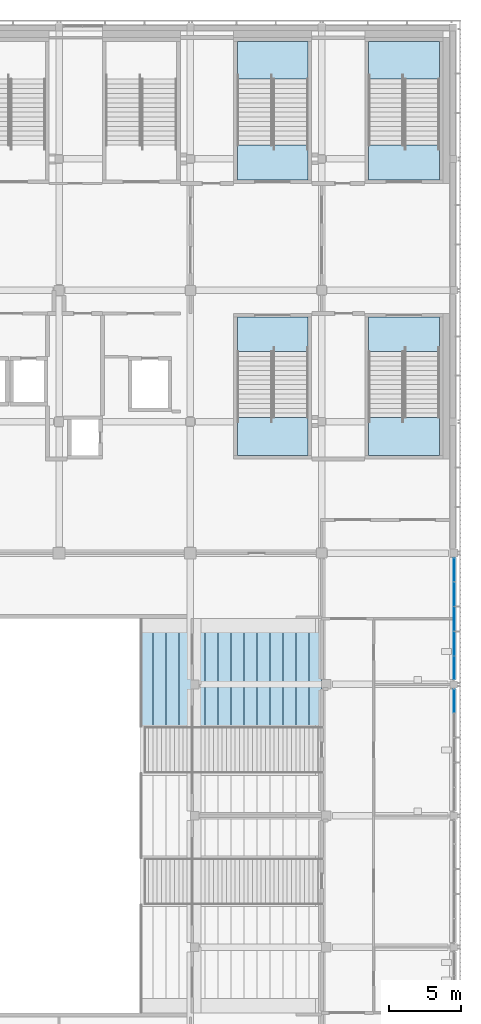
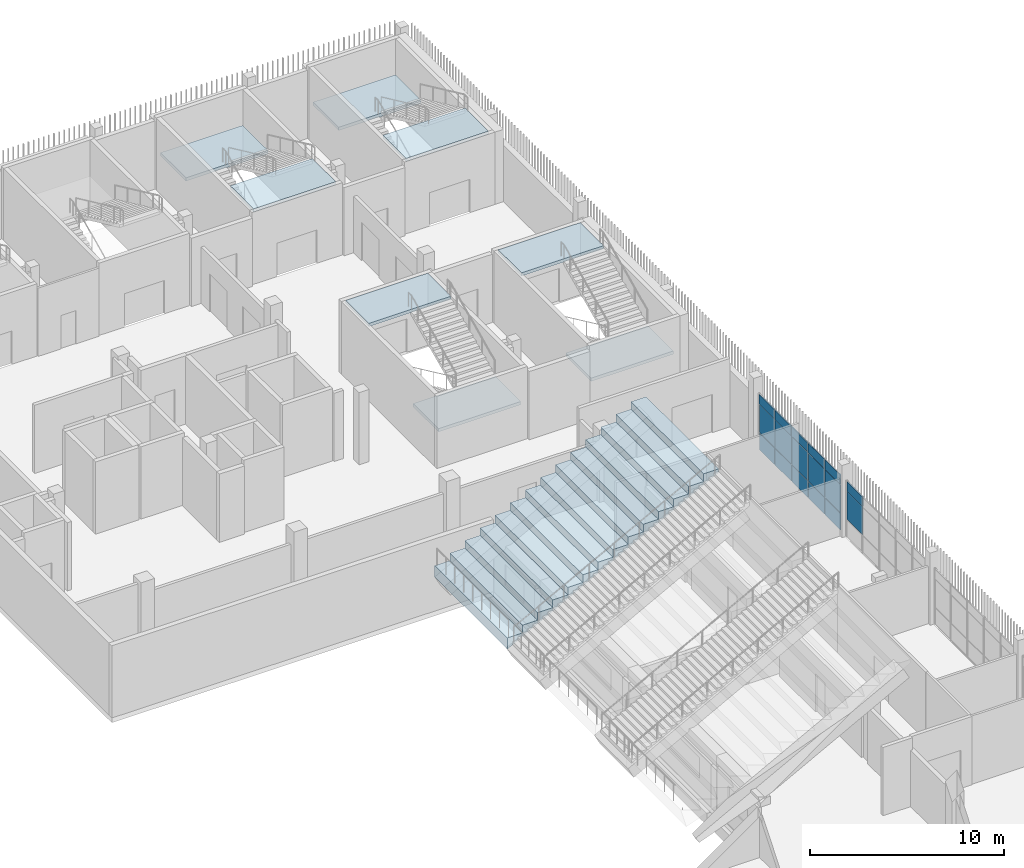
# One storey, part 72 of 139: 17 plates, 9 slabs, 6 elements without a shape of their own.
"""IFC4 building model written with IfcOpenShell, lengths in metres."""

from ifc_helpers import new_model, si_unit, direction, frame, origin, origin_2d, place, context, subcontext, project, spatial, polyline, rectangle, outline, extrude, material, layer, layer_set, type_object, element, aggregate, save


model = new_model("IFC4")

# Units and contexts
model_context = context("Model", 3, precision=1e-05, world=origin(), true_north=direction((0.0, 1.0)))
body_context = subcontext(model_context, "Body", "Model", "MODEL_VIEW")
ifc_project = project(units=[si_unit("LENGTHUNIT", "METRE"), si_unit("AREAUNIT", "SQUARE_METRE"), si_unit("VOLUMEUNIT", "CUBIC_METRE"), si_unit("PLANEANGLEUNIT", "RADIAN"), si_unit("MASSUNIT", "GRAM", prefix="KILO")], contexts=[model_context])

# Site, building, storey
site_placement = place(None, origin())
site = spatial("IfcSite", under=ifc_project, at=site_placement, CompositionType="ELEMENT")
building_placement = place(site_placement, origin())
building = spatial("IfcBuilding", under=site, at=building_placement, Name="Shirokan Park Arena", CompositionType="ELEMENT")
storey_placement = place(building_placement, frame((0.0, 0.0, 15.469970703125)))
storey = spatial("IfcBuildingStorey", under=building, at=storey_placement, Name="L03", CompositionType="ELEMENT", Elevation=15.469970703125)

# Curtain wall, plate
ifc_material_1 = material(Name="Steel and glass curtain wall", Category="steel")
ifc_layer_1 = layer(ifc_material_1, 0.14990234375)
ifc_layer_set_1 = layer_set([ifc_layer_1], Name="Steel and glass curtain wall 150 mm")
curtain_wall_type = type_object("IfcCurtainWallType", Name="Curtain wall exposed bay 150", PredefinedType="NOTDEFINED", material=ifc_layer_set_1)
curtain_wall_1_placement = place(storey_placement, origin())
curtain_wall_1 = element("IfcCurtainWall", 1, at=curtain_wall_1_placement, inside=storey, type_object=curtain_wall_type, Name="Curtain wall east bay 7 L03", PredefinedType="NOTDEFINED")
ifc_material_2 = material(Name="Aluminium sheet", Category="aluminium")
ifc_layer_2 = layer(ifc_material_2, 0.0029296875, Name="Aluminium sheet")
ifc_material_3 = material(Name="Mineral wool insulation")
ifc_layer_3 = layer(ifc_material_3, 0.053955078125, Name="Mineral wool insulation")
ifc_layer_4 = layer(ifc_material_2, 0.0029296875, Name="Aluminium sheet")
ifc_layer_set_2 = layer_set([ifc_layer_2, ifc_layer_3, ifc_layer_4], Name="Aluminium sheet + Mineral wool insulation")
plate_type_1 = type_object("IfcPlateType", Name="Insulated spandrel panel 60", PredefinedType="CURTAIN_PANEL", material=ifc_layer_set_2)
plate_1_placement = place(storey_placement, frame((145.675048828125, 62.552490234375, 2.919921875), z_axis=(0.0, 0.0, 1.0), x_axis=(0.0, 1.0, 0.0)))
plate_1 = element("IfcPlate", 2, at=plate_1_placement, type_object=plate_type_1, Name="CW1 panel 5.3", PredefinedType="CURTAIN_PANEL", context=body_context, shape_type="SweptSolid", body=[
    extrude(rectangle(XDim=1.594970703125, YDim=0.06005859375, at=origin_2d()), origin(), (0.0, 0.0, 1.0), 0.590087890625),
])

# Curtain wall, plates
curtain_wall_2_placement = place(storey_placement, origin())
curtain_wall_2 = element("IfcCurtainWall", 3, at=curtain_wall_2_placement, inside=storey, type_object=curtain_wall_type, Name="Curtain wall east bay 8 L03", PredefinedType="NOTDEFINED")
plate_2_placement = place(storey_placement, frame((145.675048828125, 64.844970703125, 2.919921875), z_axis=(0.0, 0.0, 1.0), x_axis=(0.0, 1.0, 0.0)))
plate_2 = element("IfcPlate", 4, at=plate_2_placement, type_object=plate_type_1, Name="CW1 panel 1.3", PredefinedType="CURTAIN_PANEL", context=body_context, shape_type="SweptSolid", body=[
    extrude(rectangle(XDim=1.590087890625, YDim=0.06005859375, at=origin_2d()), origin(), (0.0, 0.0, 1.0), 0.590087890625),
])
plate_3_placement = place(storey_placement, frame((145.675048828125, 66.5224609375, 2.919921875), z_axis=(0.0, 0.0, 1.0), x_axis=(0.0, 1.0, 0.0)))
plate_3 = element("IfcPlate", 5, at=plate_3_placement, type_object=plate_type_1, Name="CW1 panel 2.3", PredefinedType="CURTAIN_PANEL", context=body_context, shape_type="SweptSolid", body=[
    extrude(rectangle(XDim=1.6650390625, YDim=0.06005859375, at=origin_2d()), origin(), (0.0, 0.0, 1.0), 0.590087890625),
])
plate_4_placement = place(storey_placement, frame((145.675048828125, 68.237548828125, 2.919921875), z_axis=(0.0, 0.0, 1.0), x_axis=(0.0, 1.0, 0.0)))
plate_4 = element("IfcPlate", 6, at=plate_4_placement, type_object=plate_type_1, Name="CW1 panel 3.3", PredefinedType="CURTAIN_PANEL", context=body_context, shape_type="SweptSolid", body=[
    extrude(rectangle(XDim=1.6650390625, YDim=0.06005859375, at=origin_2d()), origin(), (0.0, 0.0, 1.0), 0.590087890625),
])
plate_5_placement = place(storey_placement, frame((145.675048828125, 69.952392578125, 2.919921875), z_axis=(0.0, 0.0, 1.0), x_axis=(0.0, 1.0, 0.0)))
plate_5 = element("IfcPlate", 7, at=plate_5_placement, type_object=plate_type_1, Name="CW1 panel 4.3", PredefinedType="CURTAIN_PANEL", context=body_context, shape_type="SweptSolid", body=[
    extrude(rectangle(XDim=1.6650390625, YDim=0.06005859375, at=origin_2d()), origin(), (0.0, 0.0, 1.0), 0.590087890625),
])
plate_6_placement = place(storey_placement, frame((145.675048828125, 71.6298828125, 2.919921875), z_axis=(0.0, 0.0, 1.0), x_axis=(0.0, 1.0, 0.0)))
plate_6 = element("IfcPlate", 8, at=plate_6_placement, type_object=plate_type_1, Name="CW1 panel 5.3", PredefinedType="CURTAIN_PANEL", context=body_context, shape_type="SweptSolid", body=[
    extrude(rectangle(XDim=1.590087890625, YDim=0.06005859375, at=origin_2d()), origin(), (0.0, 0.0, 1.0), 0.590087890625),
])

# Plate
ifc_material_4 = material(Name="Toughened glass", Category="glass")
ifc_layer_5 = layer(ifc_material_4, 0.012939453125, Name="Toughened glass")
ifc_material_5 = material(Name="Interlayer film")
ifc_layer_6 = layer(ifc_material_5, 0.001953125, Name="Interlayer film")
ifc_layer_7 = layer(ifc_material_4, 0.012939453125, Name="Toughened glass")
ifc_layer_set_3 = layer_set([ifc_layer_5, ifc_layer_6, ifc_layer_7], Name="Toughened glass + Interlayer film")
plate_type_2 = type_object("IfcPlateType", Name="Laminated glass panel 28", PredefinedType="CURTAIN_PANEL", material=ifc_layer_set_3)
plate_7_placement = place(storey_placement, frame((145.675048828125, 62.552490234375, 1.1201171875), z_axis=(0.0, 0.0, 1.0), x_axis=(0.0, 1.0, 0.0)))
plate_7 = element("IfcPlate", 9, at=plate_7_placement, type_object=plate_type_2, Name="CW1 panel 5.2", PredefinedType="CURTAIN_PANEL", context=body_context, shape_type="SweptSolid", body=[
    extrude(rectangle(XDim=1.594970703125, YDim=0.028076171875, at=origin_2d()), origin(), (0.0, 0.0, 1.0), 1.760009765625),
])

aggregate(curtain_wall_1, [plate_7, plate_1])

plate_8_placement = place(storey_placement, frame((145.675048828125, 64.844970703125, 1.1201171875), z_axis=(0.0, 0.0, 1.0), x_axis=(0.0, 1.0, 0.0)))
plate_8 = element("IfcPlate", 10, at=plate_8_placement, type_object=plate_type_2, Name="CW1 panel 1.2", PredefinedType="CURTAIN_PANEL", context=body_context, shape_type="SweptSolid", body=[
    extrude(rectangle(XDim=1.590087890625, YDim=0.028076171875, at=origin_2d()), origin(), (0.0, 0.0, 1.0), 1.760009765625),
])

plate_9_placement = place(storey_placement, frame((145.675048828125, 66.5224609375, 1.1201171875), z_axis=(0.0, 0.0, 1.0), x_axis=(0.0, 1.0, 0.0)))
plate_9 = element("IfcPlate", 11, at=plate_9_placement, type_object=plate_type_2, Name="CW1 panel 2.2", PredefinedType="CURTAIN_PANEL", context=body_context, shape_type="SweptSolid", body=[
    extrude(rectangle(XDim=1.6650390625, YDim=0.028076171875, at=origin_2d()), origin(), (0.0, 0.0, 1.0), 1.760009765625),
])

plate_10_placement = place(storey_placement, frame((145.675048828125, 68.237548828125, 1.1201171875), z_axis=(0.0, 0.0, 1.0), x_axis=(0.0, 1.0, 0.0)))
plate_10 = element("IfcPlate", 12, at=plate_10_placement, type_object=plate_type_2, Name="CW1 panel 3.2", PredefinedType="CURTAIN_PANEL", context=body_context, shape_type="SweptSolid", body=[
    extrude(rectangle(XDim=1.6650390625, YDim=0.028076171875, at=origin_2d()), origin(), (0.0, 0.0, 1.0), 1.760009765625),
])

plate_11_placement = place(storey_placement, frame((145.675048828125, 69.952392578125, 1.1201171875), z_axis=(0.0, 0.0, 1.0), x_axis=(0.0, 1.0, 0.0)))
plate_11 = element("IfcPlate", 13, at=plate_11_placement, type_object=plate_type_2, Name="CW1 panel 4.2", PredefinedType="CURTAIN_PANEL", context=body_context, shape_type="SweptSolid", body=[
    extrude(rectangle(XDim=1.6650390625, YDim=0.028076171875, at=origin_2d()), origin(), (0.0, 0.0, 1.0), 1.760009765625),
])

plate_12_placement = place(storey_placement, frame((145.675048828125, 71.6298828125, 1.1201171875), z_axis=(0.0, 0.0, 1.0), x_axis=(0.0, 1.0, 0.0)))
plate_12 = element("IfcPlate", 14, at=plate_12_placement, type_object=plate_type_2, Name="CW1 panel 5.2", PredefinedType="CURTAIN_PANEL", context=body_context, shape_type="SweptSolid", body=[
    extrude(rectangle(XDim=1.590087890625, YDim=0.028076171875, at=origin_2d()), origin(), (0.0, 0.0, 1.0), 1.760009765625),
])

ifc_layer_8 = layer(ifc_material_4, 0.01708984375, Name="Toughened glass")
ifc_layer_9 = layer(ifc_material_5, 0.001953125, Name="Interlayer film")
ifc_layer_10 = layer(ifc_material_4, 0.01708984375, Name="Toughened glass")
ifc_layer_set_4 = layer_set([ifc_layer_8, ifc_layer_9, ifc_layer_10], Name="Toughened glass + Interlayer film")
plate_type_3 = type_object("IfcPlateType", Name="Laminated safety glass panel 36", PredefinedType="CURTAIN_PANEL", material=ifc_layer_set_4)
plate_13_placement = place(storey_placement, frame((145.675048828125, 64.844970703125, 0.0400390625), z_axis=(0.0, 0.0, 1.0), x_axis=(0.0, 1.0, 0.0)))
plate_13 = element("IfcPlate", 15, at=plate_13_placement, type_object=plate_type_3, Name="CW1 panel 1.1", PredefinedType="CURTAIN_PANEL", context=body_context, shape_type="SweptSolid", body=[
    extrude(rectangle(XDim=1.590087890625, YDim=0.035888671875, at=origin_2d()), origin(), (0.0, 0.0, 1.0), 1.0400390625),
])

plate_14_placement = place(storey_placement, frame((145.675048828125, 66.5224609375, 0.0400390625), z_axis=(0.0, 0.0, 1.0), x_axis=(0.0, 1.0, 0.0)))
plate_14 = element("IfcPlate", 16, at=plate_14_placement, type_object=plate_type_3, Name="CW1 panel 2.1", PredefinedType="CURTAIN_PANEL", context=body_context, shape_type="SweptSolid", body=[
    extrude(rectangle(XDim=1.6650390625, YDim=0.035888671875, at=origin_2d()), origin(), (0.0, 0.0, 1.0), 1.0400390625),
])

plate_15_placement = place(storey_placement, frame((145.675048828125, 68.237548828125, 0.0400390625), z_axis=(0.0, 0.0, 1.0), x_axis=(0.0, 1.0, 0.0)))
plate_15 = element("IfcPlate", 17, at=plate_15_placement, type_object=plate_type_3, Name="CW1 panel 3.1", PredefinedType="CURTAIN_PANEL", context=body_context, shape_type="SweptSolid", body=[
    extrude(rectangle(XDim=1.6650390625, YDim=0.035888671875, at=origin_2d()), origin(), (0.0, 0.0, 1.0), 1.0400390625),
])

plate_16_placement = place(storey_placement, frame((145.675048828125, 69.952392578125, 0.0400390625), z_axis=(0.0, 0.0, 1.0), x_axis=(0.0, 1.0, 0.0)))
plate_16 = element("IfcPlate", 18, at=plate_16_placement, type_object=plate_type_3, Name="CW1 panel 4.1", PredefinedType="CURTAIN_PANEL", context=body_context, shape_type="SweptSolid", body=[
    extrude(rectangle(XDim=1.6650390625, YDim=0.035888671875, at=origin_2d()), origin(), (0.0, 0.0, 1.0), 1.0400390625),
])

plate_17_placement = place(storey_placement, frame((145.675048828125, 71.6298828125, 0.0400390625), z_axis=(0.0, 0.0, 1.0), x_axis=(0.0, 1.0, 0.0)))
plate_17 = element("IfcPlate", 19, at=plate_17_placement, type_object=plate_type_3, Name="CW1 panel 5.1", PredefinedType="CURTAIN_PANEL", context=body_context, shape_type="SweptSolid", body=[
    extrude(rectangle(XDim=1.590087890625, YDim=0.035888671875, at=origin_2d()), origin(), (0.0, 0.0, 1.0), 1.0400390625),
])

aggregate(curtain_wall_2, [plate_13, plate_8, plate_2, plate_14, plate_9, plate_3, plate_15, plate_10, plate_4, plate_16, plate_11, plate_5, plate_17, plate_12, plate_6])

# Slab
ifc_material_6 = material(Name="Concrete C35", Category="concrete")
ifc_layer_11 = layer(ifc_material_6, 0.199951171875)
ifc_layer_set_5 = layer_set([ifc_layer_11], Name="Concrete C35 200 mm")
slab_type_1 = type_object("IfcSlabType", Name="RC seating tier upper 200", PredefinedType="USERDEFINED", material=ifc_layer_set_5)
slab_1_placement = place(storey_placement, frame((123.89990234375, 64.5, 2.860107421875), z_axis=(0.0, 0.0, 1.0), x_axis=(1.0, 0.0, 0.0)))
element("IfcSlab", 20, at=slab_1_placement, inside=storey, type_object=slab_type_1, Name="Stand upper E 3", ObjectType="SEATING TIER", PredefinedType="USERDEFINED", context=body_context, shape_type="SweptSolid", body=[
    extrude(outline(polyline([(0.0, 0.0), (0.89990234375, 0.0), (0.89990234375, 0.47998046875), (1.800048828125, 0.47998046875), (1.800048828125, 0.9599609375), (2.699951171875, 0.9599609375), (2.699951171875, 1.43994140625), (3.60009765625, 1.43994140625), (3.60009765625, 1.919921875), (4.5, 1.919921875), (4.5, 2.39990234375), (5.39990234375, 2.39990234375), (5.39990234375, 2.8798828125), (6.300048828125, 2.8798828125), (6.300048828125, 3.360107421875), (7.199951171875, 3.360107421875), (7.199951171875, 3.840087890625), (8.10009765625, 3.840087890625), (8.10009765625, 4.320068359375), (9.0, 4.320068359375), (9.0, 4.800048828125), (9.89990234375, 4.800048828125), (9.89990234375, 5.280029296875), (10.800048828125, 5.280029296875), (10.800048828125, 5.760009765625), (11.699951171875, 5.760009765625), (11.699951171875, 6.239990234375), (12.60009765625, 6.239990234375), (12.60009765625, 6.013427734375), (0.0, -0.706787109375), (0.0, 0.0)])), frame((0.0, 3.75, 0.0), z_axis=(0.0, -1.0, 0.0), x_axis=(1.0, 0.0, 0.0)), (0.0, 0.0, 1.0), 7.5),
])

# Stair, slabs
ifc_material_7 = material(Name="Concrete C30 precast", Category="concrete")
stair_type = type_object("IfcStairType", Name="Stair 30 risers 152 x 327 2400 wide", PredefinedType="TWO_STRAIGHT_RUN_STAIR", material=ifc_material_7)
stair_1_placement = place(storey_placement, origin())
stair_1 = element("IfcStair", 21, at=stair_1_placement, inside=storey, type_object=stair_type, Name="Exit Stair 3.A L03 to L04", PredefinedType="TWO_STRAIGHT_RUN_STAIR")
ifc_layer_12 = layer(ifc_material_7, 0.199951171875)
ifc_layer_set_6 = layer_set([ifc_layer_12], Name="Concrete C30 precast 200 mm")
slab_type_2 = type_object("IfcSlabType", Name="Stair landing 200", PredefinedType="LANDING", material=ifc_layer_set_6)
slab_2_placement = place(storey_placement, frame((0.0, 0.0, 2.074951171875)))
slab_2 = element("IfcSlab", 22, at=slab_2_placement, type_object=slab_type_2, Name="ST16.4 landing 1", PredefinedType="LANDING", context=body_context, shape_type="SweptSolid", body=[
    extrude(outline(polyline([(139.75, 105.623779296875), (144.64990234375, 105.623779296875), (144.64990234375, 108.25), (139.75, 108.25), (139.75, 105.623779296875)])), origin(), (0.0, 0.0, 1.0), 0.2001953125),
])
slab_3_placement = place(storey_placement, frame((0.0, 0.0, 4.35009765625)))
slab_3 = element("IfcSlab", 23, at=slab_3_placement, type_object=slab_type_2, Name="ST16.4 landing 2", PredefinedType="LANDING", context=body_context, shape_type="SweptSolid", body=[
    extrude(outline(polyline([(139.75, 98.64990234375), (144.64990234375, 98.64990234375), (144.64990234375, 101.050048828125), (139.75, 101.050048828125), (139.75, 98.64990234375)])), origin(), (0.0, 0.0, 1.0), 0.199951171875),
])
aggregate(stair_1, [slab_2, slab_3])

stair_2_placement = place(storey_placement, origin())
stair_2 = element("IfcStair", 24, at=stair_2_placement, inside=storey, type_object=stair_type, Name="Exit Stair 3.B L03 to L04", PredefinedType="TWO_STRAIGHT_RUN_STAIR")
slab_4_placement = place(storey_placement, frame((0.0, 0.0, 2.074951171875)))
slab_4 = element("IfcSlab", 25, at=slab_4_placement, type_object=slab_type_2, Name="ST17.4 landing 1", PredefinedType="LANDING", context=body_context, shape_type="SweptSolid", body=[
    extrude(outline(polyline([(130.64990234375, 105.623779296875), (135.550048828125, 105.623779296875), (135.550048828125, 108.25), (130.64990234375, 108.25), (130.64990234375, 105.623779296875)])), origin(), (0.0, 0.0, 1.0), 0.2001953125),
])
slab_5_placement = place(storey_placement, frame((0.0, 0.0, 4.35009765625)))
slab_5 = element("IfcSlab", 26, at=slab_5_placement, type_object=slab_type_2, Name="ST17.4 landing 2", PredefinedType="LANDING", context=body_context, shape_type="SweptSolid", body=[
    extrude(outline(polyline([(130.64990234375, 98.64990234375), (135.550048828125, 98.64990234375), (135.550048828125, 101.050048828125), (130.64990234375, 101.050048828125), (130.64990234375, 98.64990234375)])), origin(), (0.0, 0.0, 1.0), 0.199951171875),
])
aggregate(stair_2, [slab_4, slab_5])

stair_3_placement = place(storey_placement, origin())
stair_3 = element("IfcStair", 27, at=stair_3_placement, inside=storey, type_object=stair_type, Name="Exit Stair 3.E L03 to L04", PredefinedType="TWO_STRAIGHT_RUN_STAIR")
slab_6_placement = place(storey_placement, frame((0.0, 0.0, 2.074951171875)))
slab_6 = element("IfcSlab", 28, at=slab_6_placement, type_object=slab_type_2, Name="ST20.4 landing 1", PredefinedType="LANDING", context=body_context, shape_type="SweptSolid", body=[
    extrude(outline(polyline([(139.75, 79.550048828125), (144.64990234375, 79.550048828125), (144.64990234375, 82.17626953125), (139.75, 82.17626953125), (139.75, 79.550048828125)])), origin(), (0.0, 0.0, 1.0), 0.2001953125),
])
slab_7_placement = place(storey_placement, frame((0.0, 0.0, 4.35009765625)))
slab_7 = element("IfcSlab", 29, at=slab_7_placement, type_object=slab_type_2, Name="ST20.4 landing 2", PredefinedType="LANDING", context=body_context, shape_type="SweptSolid", body=[
    extrude(outline(polyline([(139.75, 86.75), (144.64990234375, 86.75), (144.64990234375, 89.14990234375), (139.75, 89.14990234375), (139.75, 86.75)])), origin(), (0.0, 0.0, 1.0), 0.199951171875),
])
aggregate(stair_3, [slab_6, slab_7])

stair_4_placement = place(storey_placement, origin())
stair_4 = element("IfcStair", 30, at=stair_4_placement, inside=storey, type_object=stair_type, Name="Exit Stair 3.F L03 to L04", PredefinedType="TWO_STRAIGHT_RUN_STAIR")
slab_8_placement = place(storey_placement, frame((0.0, 0.0, 2.074951171875)))
slab_8 = element("IfcSlab", 31, at=slab_8_placement, type_object=slab_type_2, Name="ST21.4 landing 1", PredefinedType="LANDING", context=body_context, shape_type="SweptSolid", body=[
    extrude(outline(polyline([(130.64990234375, 79.550048828125), (135.550048828125, 79.550048828125), (135.550048828125, 82.17626953125), (130.64990234375, 82.17626953125), (130.64990234375, 79.550048828125)])), origin(), (0.0, 0.0, 1.0), 0.2001953125),
])
slab_9_placement = place(storey_placement, frame((0.0, 0.0, 4.35009765625)))
slab_9 = element("IfcSlab", 32, at=slab_9_placement, type_object=slab_type_2, Name="ST21.4 landing 2", PredefinedType="LANDING", context=body_context, shape_type="SweptSolid", body=[
    extrude(outline(polyline([(130.64990234375, 86.75), (135.550048828125, 86.75), (135.550048828125, 89.14990234375), (130.64990234375, 89.14990234375), (130.64990234375, 86.75)])), origin(), (0.0, 0.0, 1.0), 0.199951171875),
])
aggregate(stair_4, [slab_8, slab_9])

save(model, "model.ifc")
